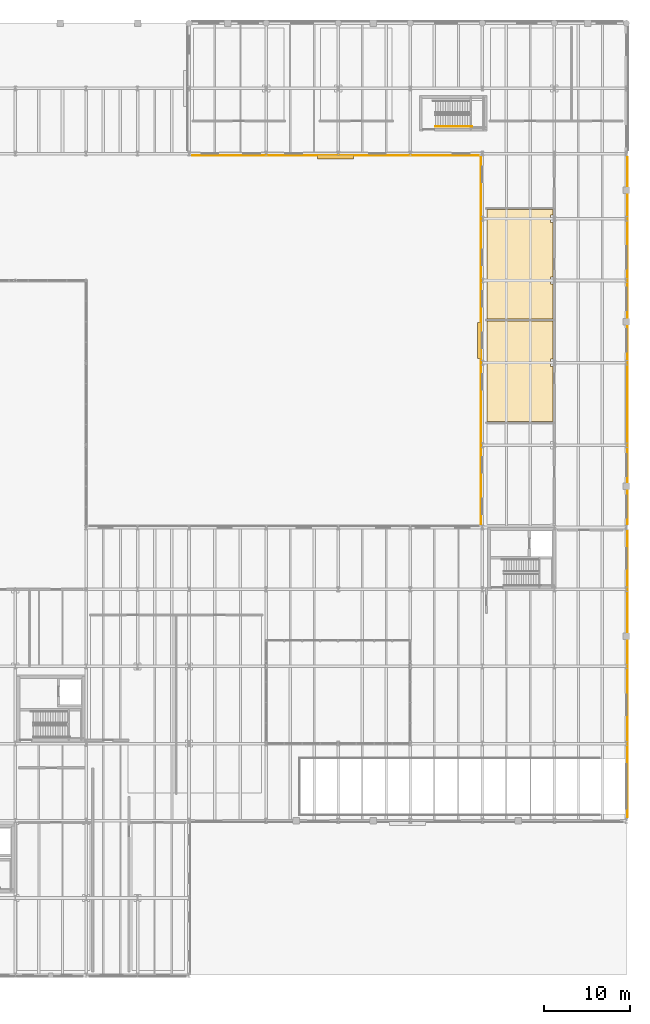
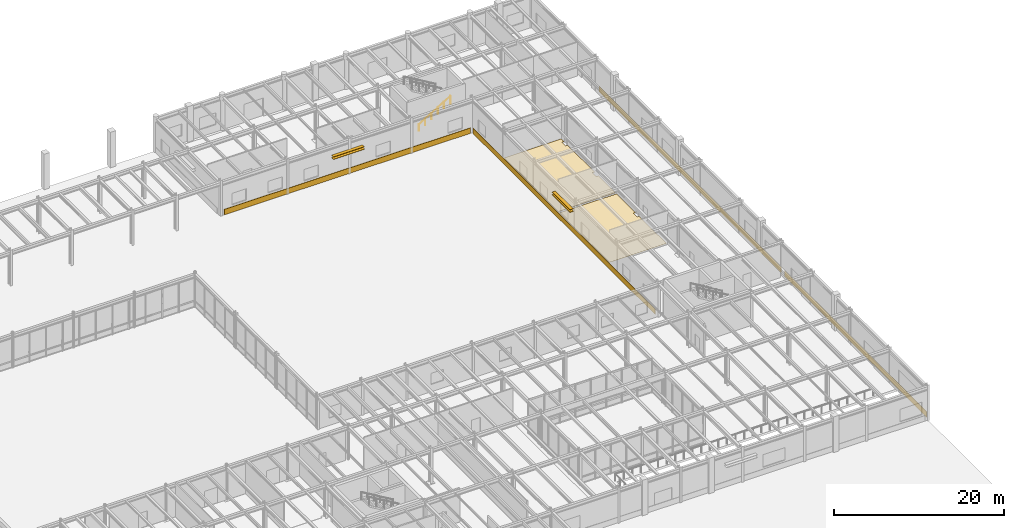
# One storey, part 62 of 64: 6 coverings, 4 shading devices, 1 railing.
"""IFC4 building model written with IfcOpenShell, lengths in metres."""

from ifc_helpers import new_model, si_unit, direction, frame, origin, origin_2d, place, context, subcontext, project, spatial, polyline, rectangle, circle, outline, extrude, material, layer, layer_set, type_object, element, save


model = new_model("IFC4")

# Units and contexts
model_context = context("Model", 3, precision=1e-05, world=origin(), true_north=direction((0.0, 1.0)))
body_context = subcontext(model_context, "Body", "Model", "MODEL_VIEW")
ifc_project = project(units=[si_unit("LENGTHUNIT", "METRE"), si_unit("AREAUNIT", "SQUARE_METRE"), si_unit("VOLUMEUNIT", "CUBIC_METRE"), si_unit("PLANEANGLEUNIT", "RADIAN"), si_unit("MASSUNIT", "GRAM", prefix="KILO")], contexts=[model_context])

# Site, building, storey
site_placement = place(None, origin())
site = spatial("IfcSite", under=ifc_project, at=site_placement, CompositionType="ELEMENT")
building_placement = place(site_placement, origin())
building = spatial("IfcBuilding", under=site, at=building_placement, Name="Montealbar Specialist Clinic", CompositionType="ELEMENT")
storey_placement = place(building_placement, origin())
storey = spatial("IfcBuildingStorey", under=building, at=storey_placement, Name="L00", CompositionType="ELEMENT", Elevation=0.0)

# Coverings
ifc_material_1 = material(Name="Guadarrama granite ashlar", Category="masonry")
ifc_layer_1 = layer(ifc_material_1, 0.06005859375, Name="Guadarrama granite ashlar", Category="masonry")
ifc_layer_set_1 = layer_set([ifc_layer_1], Name="Guadarrama granite ashlar")
covering_type_1 = type_object("IfcCoveringType", Name="COV-CLAD-GRANITE", PredefinedType="CLADDING", material=ifc_layer_set_1)
covering_1_placement = place(storey_placement, frame((128.10009765625, 95.596923828125, 0.02978515625), z_axis=(0.0, 0.0, 1.0), x_axis=(-1.0, 0.0, 0.0)))
element("IfcCovering", 1, at=covering_1_placement, inside=storey, type_object=covering_type_1, Name="Facade Plinth Cladding Band L00-006", PredefinedType="CLADDING", context=body_context, shape_type="SweptSolid", body=[
    extrude(rectangle(XDim=33.39990234375, YDim=0.06005859375, at=origin_2d()), origin(), (0.0, 0.0, 1.0), 0.780029296875),
])
ifc_material_2 = material(Name="Terracotta architectural cladding", Category="masonry")
ifc_layer_2 = layer(ifc_material_2, 0.044921875, Name="Terracotta architectural cladding", Category="masonry")
ifc_layer_set_2 = layer_set([ifc_layer_2], Name="Terracotta architectural cladding")
covering_type_2 = type_object("IfcCoveringType", Name="COV-CLAD-TERRA", PredefinedType="CLADDING", material=ifc_layer_set_2)
for number, where, z_axis, x_axis, name in (
    (2, (145.049072265625, 74.0, 0.02978515625), (0.0, 0.0, 1.0), (0.0, 1.0, 0.0), "Facade Plinth Cladding Band L00-005"),
    (3, (162.14990234375, 74.0, 0.02978515625), (0.0, 0.0, 1.0), (0.0, -1.0, 0.0), "Facade Plinth Cladding Band L00-010"),
):
    element("IfcCovering", number, at=place(storey_placement, frame(where, z_axis=z_axis, x_axis=x_axis)), inside=storey, type_object=covering_type_2, Name=name, PredefinedType="CLADDING", context=body_context, shape_type="SweptSolid", body=[
        extrude(rectangle(XDim=42.800048828125, YDim=0.044921875, at=origin_2d()), origin(), (0.0, 0.0, 1.0), 0.780029296875),
    ])
covering_2_placement = place(storey_placement, frame((162.14990234375, 35.10009765625, 0.02978515625), z_axis=(0.0, 0.0, 1.0), x_axis=(0.0, -1.0, 0.0)))
element("IfcCovering", 4, at=covering_2_placement, inside=storey, type_object=covering_type_2, Name="Facade Plinth Cladding Band L00-011", PredefinedType="CLADDING", context=body_context, shape_type="SweptSolid", body=[
    extrude(rectangle(XDim=33.39990234375, YDim=0.044921875, at=origin_2d()), origin(), (0.0, 0.0, 1.0), 0.780029296875),
])
ifc_material_3 = material(Name="Antimicrobial clinical linoleum", Category="wood")
ifc_layer_3 = layer(ifc_material_3, 0.02001953125, Name="Antimicrobial clinical linoleum", Category="wood")
ifc_layer_set_3 = layer_set([ifc_layer_3], Name="Antimicrobial clinical linoleum")
covering_type_3 = type_object("IfcCoveringType", Name="COV-FLR-LINOLEUM", PredefinedType="FLOORING", material=ifc_layer_set_3)
covering_3_placement = place(storey_placement, origin())
element("IfcCovering", 5, at=covering_3_placement, inside=storey, type_object=covering_type_3, Name="Clinical Flooring Geriatric Mobility Consulting Room 01", PredefinedType="FLOORING", context=body_context, shape_type="SweptSolid", body=[
    extrude(outline(polyline([(145.72998046875, 76.27001953125), (153.469970703125, 76.27001953125), (153.469970703125, 71.820068359375), (153.179931640625, 71.820068359375), (153.179931640625, 70.97998046875), (153.469970703125, 70.97998046875), (153.469970703125, 64.530029296875), (145.72998046875, 64.530029296875), (145.72998046875, 76.27001953125)])), origin(), (0.0, 0.0, 1.0), 0.02001953125),
])
covering_4_placement = place(storey_placement, origin())
element("IfcCovering", 6, at=covering_4_placement, inside=storey, type_object=covering_type_3, Name="Clinical Flooring Occupational Therapy Daily-Living Studio", PredefinedType="FLOORING", context=body_context, shape_type="SweptSolid", body=[
    extrude(outline(polyline([(145.72998046875, 89.27001953125), (153.469970703125, 89.27001953125), (153.469970703125, 88.6201171875), (153.179931640625, 88.6201171875), (153.179931640625, 87.780029296875), (153.469970703125, 87.780029296875), (153.469970703125, 81.419921875), (153.179931640625, 81.419921875), (153.179931640625, 80.580078125), (153.469970703125, 80.580078125), (153.469970703125, 76.530029296875), (145.72998046875, 76.530029296875), (145.72998046875, 89.27001953125)])), origin(), (0.0, 0.0, 1.0), 0.02001953125),
])

# Railing
ifc_material_4 = material(Name="Steel S355", Category="steel")
ifc_layer_4 = layer(ifc_material_4, 0.044921875, Name="Steel S355", Category="steel")
ifc_layer_set_4 = layer_set([ifc_layer_4], Name="Steel S355")
railing_type = type_object("IfcRailingType", Name="RAIL-STAIR-HR-900", PredefinedType="HANDRAIL", material=ifc_layer_set_4)
railing_placement = place(storey_placement, frame((139.75, 98.949951171875, 0.169921875)))
element("IfcRailing", 7, at=railing_placement, inside=storey, type_object=railing_type, Name="L00 ST-07 stair handrail 1", PredefinedType="HANDRAIL", context=body_context, shape_type="SweptSolid", body=[
    extrude(circle(Radius=0.02392578125, at=origin_2d()), frame((0.0, 0.0, 0.8759765625), z_axis=(0.858810040619, 0.0, 0.512294167576), x_axis=(0.0, 1.0, 0.0)), (0.0, 0.0, 1.0), 4.977783203125),
    extrude(circle(Radius=0.02099609375, at=origin_2d()), frame((0.0, 0.0, -0.02490234375)), (0.0, 0.0, 1.0), 0.876708984375),
    extrude(circle(Radius=0.02099609375, at=origin_2d()), frame((0.85498046875, 0.0, 0.485107421875)), (0.0, 0.0, 1.0), 0.876708984375),
    extrude(circle(Radius=0.02099609375, at=origin_2d()), frame((1.7099609375, 0.0, 0.9951171875)), (0.0, 0.0, 1.0), 0.876708984375),
    extrude(circle(Radius=0.02099609375, at=origin_2d()), frame((2.56494140625, 0.0, 1.505126953125)), (0.0, 0.0, 1.0), 0.876708984375),
    extrude(circle(Radius=0.02099609375, at=origin_2d()), frame((3.419921875, 0.0, 2.01513671875)), (0.0, 0.0, 1.0), 0.876708984375),
    extrude(circle(Radius=0.02099609375, at=origin_2d()), frame((4.27490234375, 0.0, 2.355224609375)), (0.0, 0.0, 1.0), 1.046630859375),
])

# Shading devices
ifc_material_5 = material(Name="Powder-coated aluminium", Category="aluminium")
ifc_layer_5 = layer(ifc_material_5, 0.050048828125, Name="Powder-coated aluminium", Category="aluminium")
ifc_layer_set_5 = layer_set([ifc_layer_5], Name="Powder-coated aluminium")
shading_device_type = type_object("IfcShadingDeviceType", Name="SHD-LOUVRE-450", PredefinedType="JALOUSIE", material=ifc_layer_set_5)
for number, where, z_axis, x_axis, name in (
    (8, (144.85009765625, 74.0, 3.0751953125), (0.0, 0.0, 1.0), (0.0, 1.0, 0.0), "Entrance Canopy Sun Louvre LV-05"),
    (9, (144.85009765625, 74.0, 3.4248046875), (0.0, 0.0, 1.0), (0.0, 1.0, 0.0), "Entrance Canopy Sun Louvre LV-06"),
    (10, (128.10009765625, 95.405029296875, 3.0751953125), (0.0, 0.0, 1.0), (-1.0, 0.0, 0.0), "Entrance Canopy Sun Louvre LV-07"),
    (11, (128.10009765625, 95.405029296875, 3.4248046875), (0.0, 0.0, 1.0), (-1.0, 0.0, 0.0), "Entrance Canopy Sun Louvre LV-08"),
):
    element("IfcShadingDevice", number, at=place(storey_placement, frame(where, z_axis=z_axis, x_axis=x_axis)), inside=storey, type_object=shading_device_type, Name=name, PredefinedType="JALOUSIE", context=body_context, shape_type="SweptSolid", body=[
        extrude(rectangle(XDim=4.199951171875, YDim=0.449951171875, at=origin_2d()), origin(), (0.0, 0.0, 1.0), 0.050048828125),
    ])

save(model, "model.ifc")
